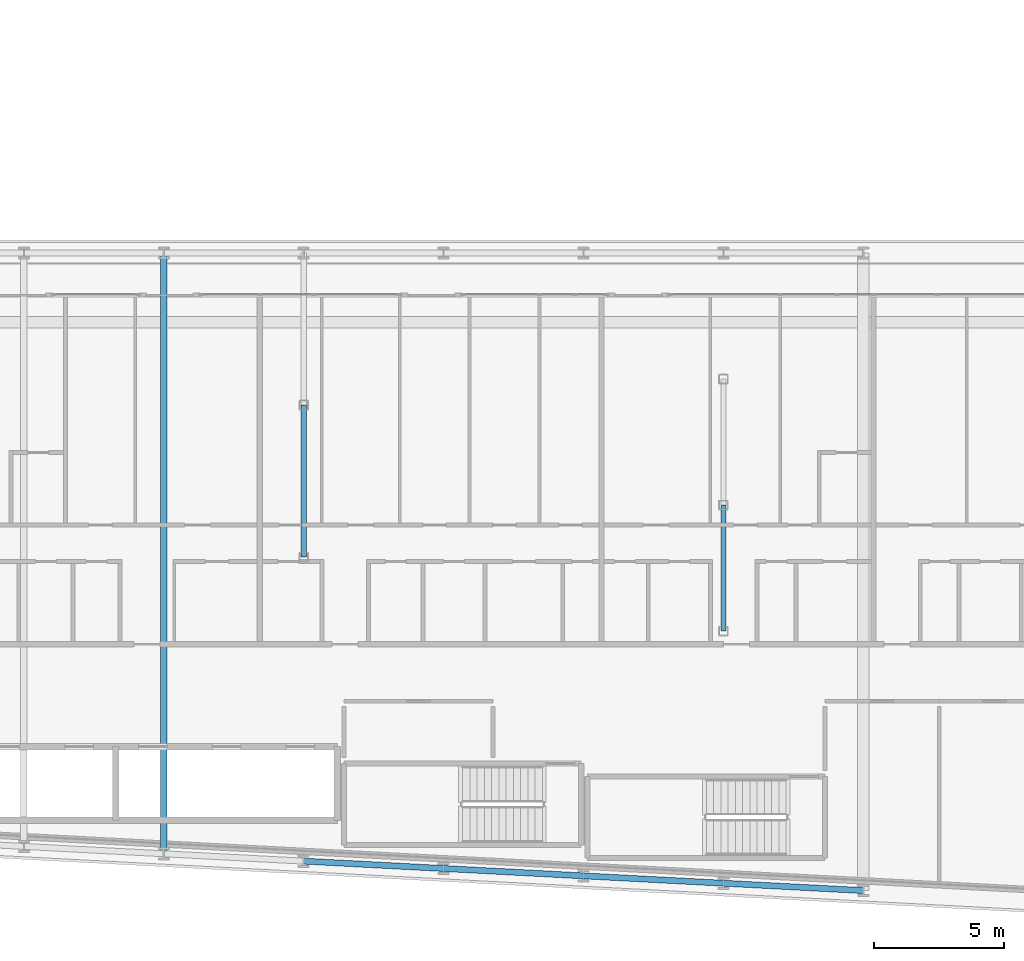
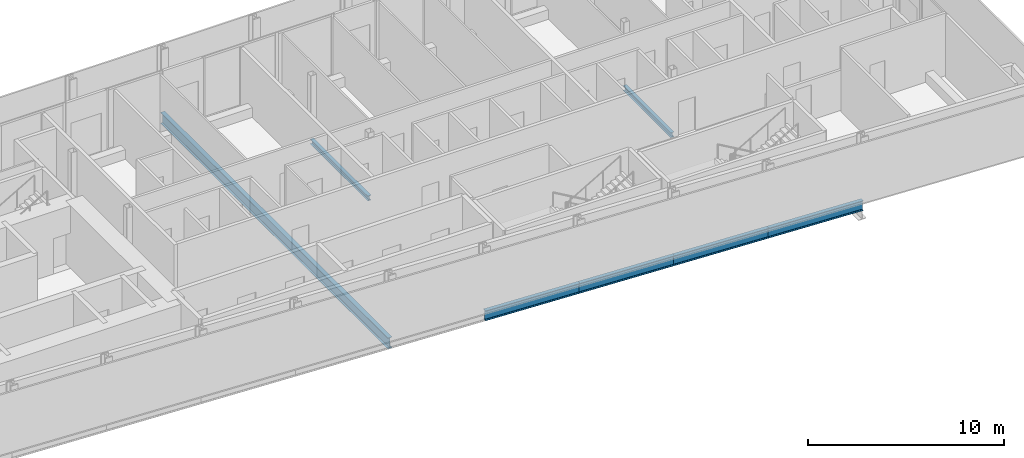
# One storey, part 5 of 28: 7 beams.
"""IFC4 building model written with IfcOpenShell, lengths in metres."""

from ifc_helpers import new_model, si_unit, direction, frame, origin, origin_2d, place, context, subcontext, project, spatial, i_section, extrude, material, material_profile, profile_set, type_object, element, save


model = new_model("IFC4")

# Units and contexts
model_context = context("Model", 3, precision=1e-05, world=origin(), true_north=direction((0.0, 1.0)))
body_context = subcontext(model_context, "Body", "Model", "MODEL_VIEW")
ifc_project = project(units=[si_unit("LENGTHUNIT", "METRE"), si_unit("AREAUNIT", "SQUARE_METRE"), si_unit("VOLUMEUNIT", "CUBIC_METRE"), si_unit("PLANEANGLEUNIT", "RADIAN"), si_unit("MASSUNIT", "GRAM", prefix="KILO")], contexts=[model_context])

# Site, building, storey
site_placement = place(None, origin())
site = spatial("IfcSite", under=ifc_project, at=site_placement, CompositionType="ELEMENT")
building_placement = place(site_placement, origin())
building = spatial("IfcBuilding", under=site, at=building_placement, Name="Kheshtan School and Residences Tower", CompositionType="ELEMENT")
storey_placement = place(building_placement, frame((0.0, 0.0, 73.39990234375)))
storey = spatial("IfcBuildingStorey", under=building, at=storey_placement, Name="L17", CompositionType="ELEMENT", Elevation=73.39990234375)

# Beams
ifc_material = material(Name="Steel ASTM A992 Grade 50", Category="steel")
ifc_material_profile_1 = material_profile(ifc_material, i_section(OverallWidth=0.202880859375, OverallDepth=0.302978515625, WebThickness=0.007568359375, FlangeThickness=0.01318359375, FilletRadius=0.009033203125, at=origin_2d()), Name="W310x60")
ifc_profile_set_1 = profile_set([ifc_material_profile_1], Name="Steel ASTM A992 Grade 50")
beam_type_1 = type_object("IfcBeamType", Name="Beam FB1 W310x60 ASTM A992 Grade 50", PredefinedType="BEAM", material=ifc_profile_set_1)
beam_1_placement = place(storey_placement, frame((85.39990234375, 31.0048828125, -0.301513671875), z_axis=(0.0, 1.0, 0.0), x_axis=(-1.0, 0.0, 0.0)))
element("IfcBeam", 1, at=beam_1_placement, inside=storey, type_object=beam_type_1, Name="Floor beam IC", PredefinedType="BEAM", context=body_context, shape_type="SweptSolid", body=[
    extrude(i_section(OverallWidth=0.202880859375, OverallDepth=0.302978515625, WebThickness=0.007568359375, FlangeThickness=0.01318359375, FilletRadius=0.009033203125, at=origin_2d()), origin(), (0.0, 0.0, 1.0), 4.865234375),
])
beam_2_placement = place(storey_placement, frame((69.199951171875, 33.863037109375, -0.301513671875), z_axis=(0.0, 1.0, 0.0), x_axis=(-1.0, 0.0, 0.0)))
element("IfcBeam", 2, at=beam_2_placement, inside=storey, type_object=beam_type_1, Name="Floor beam IC", PredefinedType="BEAM", context=body_context, shape_type="SweptSolid", body=[
    extrude(i_section(OverallWidth=0.202880859375, OverallDepth=0.302978515625, WebThickness=0.007568359375, FlangeThickness=0.01318359375, FilletRadius=0.009033203125, at=origin_2d()), origin(), (0.0, 0.0, 1.0), 5.868896484375),
])
ifc_material_profile_2 = material_profile(ifc_material, i_section(OverallWidth=0.2529296875, OverallDepth=0.677978515625, WebThickness=0.01171875, FlangeThickness=0.016357421875, FilletRadius=0.0146484375, at=origin_2d()), Name="W690x125")
ifc_profile_set_2 = profile_set([ifc_material_profile_2], Name="Steel ASTM A992 Grade 50")
beam_type_2 = type_object("IfcBeamType", Name="Beam FB6 W690x125 ASTM A992 Grade 50", PredefinedType="BEAM", material=ifc_profile_set_2)
beam_3_placement = place(storey_placement, frame((63.800048828125, 22.410888671875, -0.489013671875), z_axis=(0.0, 1.0, 0.0), x_axis=(-1.0, 0.0, 0.0)))
element("IfcBeam", 3, at=beam_3_placement, inside=storey, type_object=beam_type_2, Name="Floor beam C016", PredefinedType="BEAM", context=body_context, shape_type="SweptSolid", body=[
    extrude(i_section(OverallWidth=0.2529296875, OverallDepth=0.677978515625, WebThickness=0.01171875, FlangeThickness=0.016357421875, FilletRadius=0.0146484375, at=origin_2d()), origin(), (0.0, 0.0, 1.0), 23.189208984375),
])
ifc_material_profile_3 = material_profile(ifc_material, i_section(OverallWidth=0.22998046875, OverallDepth=0.616943359375, WebThickness=0.01318359375, FlangeThickness=0.022216796875, FilletRadius=0.0185546875, at=origin_2d()), Name="W610x140")
ifc_profile_set_3 = profile_set([ifc_material_profile_3], Name="Steel ASTM A992 Grade 50")
beam_type_3 = type_object("IfcBeamType", Name="Beam SP1 W610x140 ASTM A992 Grade 50", PredefinedType="BEAM", material=ifc_profile_set_3)
beam_4_placement = place(storey_placement, frame((90.800048828125, 20.989990234375, -0.45849609375), z_axis=(-0.998620571751, 0.05250670125, 0.0), x_axis=(-0.05250670125, -0.998620571751, 0.0)))
element("IfcBeam", 4, at=beam_4_placement, inside=storey, type_object=beam_type_3, Name="Spandrel beam C006-C008", PredefinedType="BEAM", context=body_context, shape_type="SweptSolid", body=[
    extrude(i_section(OverallWidth=0.22998046875, OverallDepth=0.616943359375, WebThickness=0.01318359375, FlangeThickness=0.022216796875, FilletRadius=0.0185546875, at=origin_2d()), origin(), (0.0, 0.0, 1.0), 5.40771484375),
])
for number, where, z_axis, x_axis, name in (
    (5, (85.39990234375, 21.27392578125, -0.45849609375), (-0.998618078766, 0.052554093665, 0.0), (-0.052554093665, -0.998618078766, 0.0), "Spandrel beam C008-C012"),
    (6, (80.0, 21.55810546875, -0.45849609375), (-0.998610961136, 0.052689166816, 0.0), (-0.052689166816, -0.998610961136, 0.0), "Spandrel beam C012-C013"),
):
    element("IfcBeam", number, at=place(storey_placement, frame(where, z_axis=z_axis, x_axis=x_axis)), inside=storey, type_object=beam_type_3, Name=name, PredefinedType="BEAM", context=body_context, shape_type="SweptSolid", body=[
        extrude(i_section(OverallWidth=0.22998046875, OverallDepth=0.616943359375, WebThickness=0.01318359375, FlangeThickness=0.022216796875, FilletRadius=0.0185546875, at=origin_2d()), origin(), (0.0, 0.0, 1.0), 5.407470703125),
    ])
beam_5_placement = place(storey_placement, frame((74.60009765625, 21.843017578125, -0.45849609375), z_axis=(-0.998620571751, 0.05250670125, 0.0), x_axis=(-0.05250670125, -0.998620571751, 0.0)))
element("IfcBeam", 7, at=beam_5_placement, inside=storey, type_object=beam_type_3, Name="Spandrel beam C013-C014", PredefinedType="BEAM", context=body_context, shape_type="SweptSolid", body=[
    extrude(i_section(OverallWidth=0.22998046875, OverallDepth=0.616943359375, WebThickness=0.01318359375, FlangeThickness=0.022216796875, FilletRadius=0.0185546875, at=origin_2d()), origin(), (0.0, 0.0, 1.0), 5.40771484375),
])

save(model, "model.ifc")
